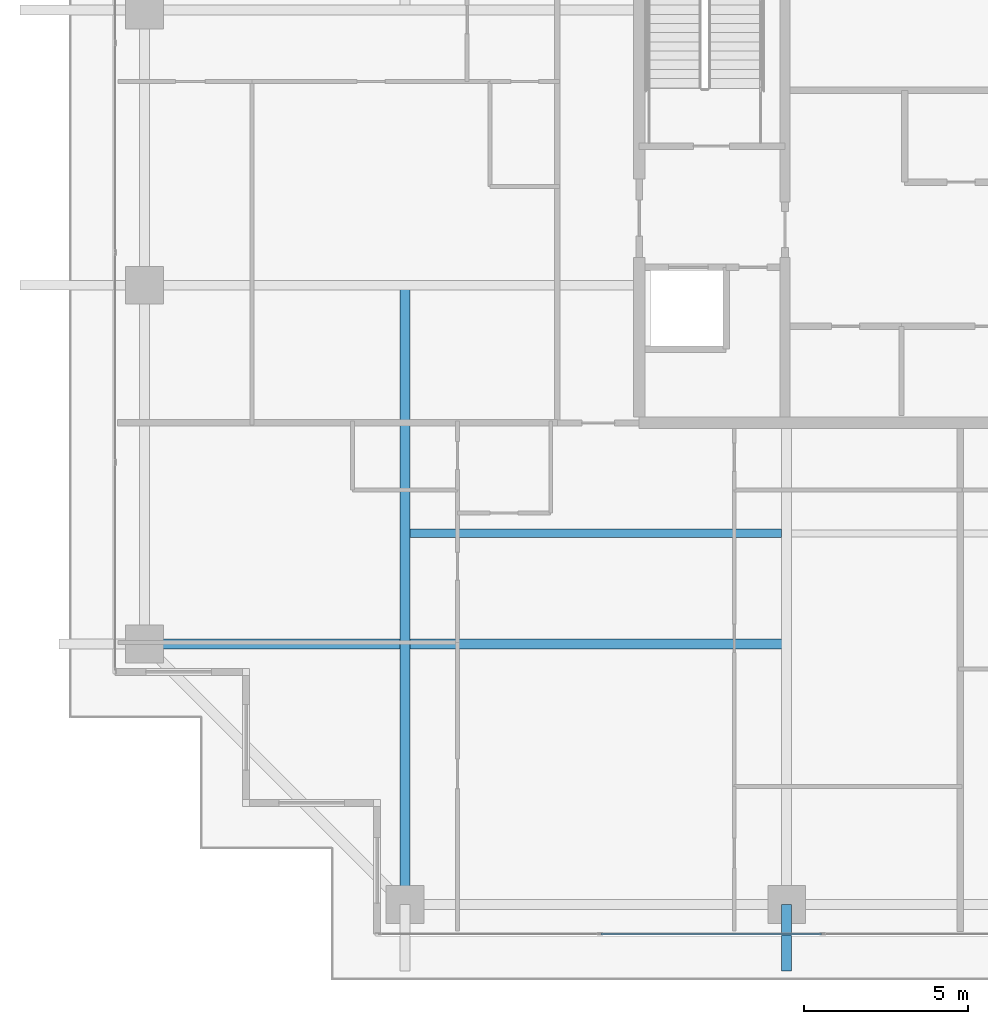
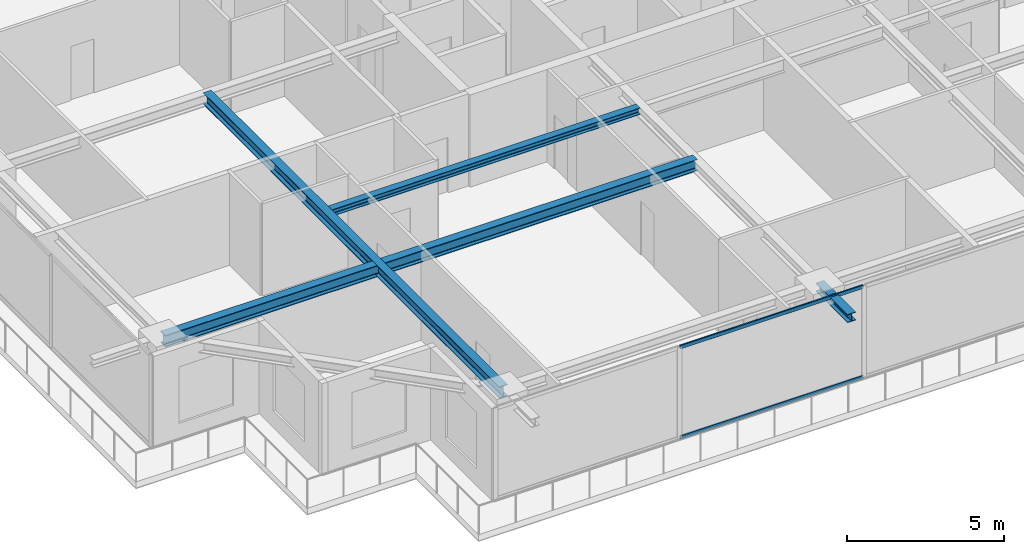
# One storey, part 4 of 37: 4 beams, 2 members, 1 element without a shape of its own.
"""IFC4 building model written with IfcOpenShell, lengths in metres."""

from ifc_helpers import new_model, si_unit, direction, frame, origin, origin_2d, place, context, subcontext, project, spatial, hollow_rectangle, i_section, extrude, source, transform, mapped, material, layer, layer_set, material_profile, profile_set, type_object, element, aggregate, save


model = new_model("IFC4")

# Units and contexts
model_context = context("Model", 3, precision=1e-05, world=origin(), true_north=direction((0.0, 1.0)))
body_context = subcontext(model_context, "Body", "Model", "MODEL_VIEW")
ifc_project = project(units=[si_unit("LENGTHUNIT", "METRE"), si_unit("AREAUNIT", "SQUARE_METRE"), si_unit("VOLUMEUNIT", "CUBIC_METRE"), si_unit("PLANEANGLEUNIT", "RADIAN"), si_unit("MASSUNIT", "GRAM", prefix="KILO")], contexts=[model_context])

# Site, building, storey
site_placement = place(None, origin())
site = spatial("IfcSite", under=ifc_project, at=site_placement, CompositionType="ELEMENT")
building_placement = place(site_placement, origin())
building = spatial("IfcBuilding", under=site, at=building_placement, Name="Serunith Strait Residences", CompositionType="ELEMENT")
storey_placement = place(building_placement, frame((0.0, 0.0, 279.75)))
storey = spatial("IfcBuildingStorey", under=building, at=storey_placement, Name="L70", CompositionType="ELEMENT", Elevation=279.75)

# Beams
ifc_material_1 = material(Name="Steel S355J2", Category="steel")
ifc_material_profile_1 = material_profile(ifc_material_1, i_section(OverallWidth=0.300048828125, OverallDepth=0.449951171875, WebThickness=0.013916015625, FlangeThickness=0.02587890625, FilletRadius=0.027099609375, at=origin_2d()), Name="HEB 450")
ifc_profile_set_1 = profile_set([ifc_material_profile_1], Name="Steel S355J2")
beam_type_1 = type_object("IfcBeamType", Name="BM-HEB450", PredefinedType="BEAM", material=ifc_profile_set_1)
shared_shape_1 = source(origin(), body_context, "Body", "SweptSolid", [
    extrude(i_section(OverallWidth=0.300048828125, OverallDepth=0.449951171875, WebThickness=0.013916015625, FlangeThickness=0.02587890625, FilletRadius=0.027099609375, at=origin_2d()), origin(), (0.0, 0.0, 1.0), 18.89990234375),
])
beam_1_placement = place(storey_placement, frame((16.25, 21.0, 3.362060546875), z_axis=(0.0, -1.0, 0.0), x_axis=(1.0, 0.0, 0.0)))
element("IfcBeam", 1, at=beam_1_placement, inside=storey, type_object=beam_type_1, Name="L70 Orthogonal Corner Girder TC-S1", PredefinedType="BEAM", context=body_context, shape_type="MappedRepresentation", body=[
    mapped(shared_shape_1, transform((0.0, 0.0, 0.0), scale=1.0)),
])
shared_shape_2 = source(origin(), body_context, "Body", "SweptSolid", [
    extrude(i_section(OverallWidth=0.300048828125, OverallDepth=0.449951171875, WebThickness=0.013916015625, FlangeThickness=0.02587890625, FilletRadius=0.027099609375, at=origin_2d()), origin(), (0.0, 0.0, 1.0), 19.599853515625),
])
beam_2_placement = place(storey_placement, frame((27.89990234375, 10.050048828125, 3.362060546875), z_axis=(-1.0, 0.0, 0.0), x_axis=(0.0, -1.0, 0.0)))
element("IfcBeam", 2, at=beam_2_placement, inside=storey, type_object=beam_type_1, Name="L70 Orthogonal Corner Girder TC-W1", PredefinedType="BEAM", context=body_context, shape_type="MappedRepresentation", body=[
    mapped(shared_shape_2, transform((0.0, 0.0, 0.0), scale=1.0)),
])
ifc_material_profile_2 = material_profile(ifc_material_1, i_section(OverallWidth=0.300048828125, OverallDepth=0.320068359375, WebThickness=0.011474609375, FlangeThickness=0.0205078125, FilletRadius=0.027099609375, at=origin_2d()), Name="HEB 320")
ifc_profile_set_2 = profile_set([ifc_material_profile_2], Name="Steel S355J2")
beam_type_2 = type_object("IfcBeamType", Name="BM-HEB320", PredefinedType="BEAM", material=ifc_profile_set_2)
shared_shape_3 = source(origin(), body_context, "Body", "SweptSolid", [
    extrude(i_section(OverallWidth=0.300048828125, OverallDepth=0.320068359375, WebThickness=0.011474609375, FlangeThickness=0.0205078125, FilletRadius=0.027099609375, at=origin_2d()), origin(), (0.0, 0.0, 1.0), 2.030029296875),
])
beam_3_placement = place(storey_placement, frame((27.89990234375, 2.10009765625, 3.39697265625), z_axis=(0.0, -1.0, 0.0), x_axis=(1.0, 0.0, 0.0)))
element("IfcBeam", 3, at=beam_3_placement, inside=storey, type_object=beam_type_2, Name="L71 Cantilevered Balcony Rib TC-S2", PredefinedType="BEAM", context=body_context, shape_type="MappedRepresentation", body=[
    mapped(shared_shape_3, transform((0.0, 0.0, 0.0), scale=1.0)),
])
ifc_material_profile_3 = material_profile(ifc_material_1, i_section(OverallWidth=0.260009765625, OverallDepth=0.260009765625, WebThickness=0.010009765625, FlangeThickness=0.017578125, FilletRadius=0.02392578125, at=origin_2d()), Name="HEB 260")
ifc_profile_set_3 = profile_set([ifc_material_profile_3], Name="Steel S355J2")
beam_type_3 = type_object("IfcBeamType", Name="BM-HEB260", PredefinedType="JOIST", material=ifc_profile_set_3)
shared_shape_4 = source(origin(), body_context, "Body", "SweptSolid", [
    extrude(i_section(OverallWidth=0.260009765625, OverallDepth=0.260009765625, WebThickness=0.010009765625, FlangeThickness=0.017578125, FilletRadius=0.02392578125, at=origin_2d()), origin(), (0.0, 0.0, 1.0), 11.35009765625),
])
beam_4_placement = place(storey_placement, frame((16.39990234375, 13.425048828125, 3.45703125), z_axis=(1.0, 0.0, 0.0), x_axis=(0.0, 1.0, 0.0)))
element("IfcBeam", 4, at=beam_4_placement, inside=storey, type_object=beam_type_3, Name="L70 Composite Floor Joist 01", PredefinedType="JOIST", context=body_context, shape_type="MappedRepresentation", body=[
    mapped(shared_shape_4, transform((0.0, 0.0, 0.0), scale=1.0)),
])

# Curtain wall, members
ifc_material_2 = material(Name="Pale-Champagne Anodised Aluminium", Category="aluminium")
ifc_layer = layer(ifc_material_2, 0.199951171875, Name="Pale-Champagne Anodised Aluminium")
ifc_layer_set = layer_set([ifc_layer], Name="Pale-Champagne Anodised Aluminium")
curtain_wall_type = type_object("IfcCurtainWallType", Name="CW-SYS4", PredefinedType="NOTDEFINED", material=ifc_layer_set)
curtain_wall_placement = place(storey_placement, origin())
curtain_wall = element("IfcCurtainWall", 5, at=curtain_wall_placement, inside=storey, type_object=curtain_wall_type, Name="L70 S Unitised Fritted Curtain Wall", PredefinedType="NOTDEFINED")
ifc_material_profile_4 = material_profile(ifc_material_2, hollow_rectangle(XDim=0.06005859375, YDim=0.139892578125, WallThickness=0.00341796875, InnerFilletRadius=0.00537109375, OuterFilletRadius=0.0087890625, at=origin_2d()), Name="ALU 140x60x3.5")
ifc_profile_set_4 = profile_set([ifc_material_profile_4], Name="Pale-Champagne Anodised Aluminium")
member_type = type_object("IfcMemberType", Name="CW-SYS4-TRAN", PredefinedType="USERDEFINED", material=ifc_profile_set_4)
shared_shape_5 = source(origin(), body_context, "Body", "SweptSolid", [
    extrude(hollow_rectangle(XDim=0.06005859375, YDim=0.139892578125, WallThickness=0.00341796875, InnerFilletRadius=0.00537109375, OuterFilletRadius=0.0087890625, at=origin_2d()), origin(), (0.0, 0.0, 1.0), 6.735107421875),
])
member_1_placement = place(storey_placement, frame((22.232421875, 1.199951171875, 0.030029296875), z_axis=(1.0, 0.0, 0.0), x_axis=(0.0, 1.0, 0.0)))
member_1 = element("IfcMember", 6, at=member_1_placement, type_object=member_type, Name="CW-4 transom 2.1", ObjectType="TRANSOM", PredefinedType="USERDEFINED", context=body_context, shape_type="MappedRepresentation", body=[
    mapped(shared_shape_5, transform((0.0, 0.0, 0.0), scale=1.0)),
])
member_2_placement = place(storey_placement, frame((22.232421875, 1.199951171875, 3.544921875), z_axis=(1.0, 0.0, 0.0), x_axis=(0.0, 1.0, 0.0)))
member_2 = element("IfcMember", 7, at=member_2_placement, type_object=member_type, Name="CW-4 transom 2.2", ObjectType="TRANSOM", PredefinedType="USERDEFINED", context=body_context, shape_type="MappedRepresentation", body=[
    mapped(shared_shape_5, transform((0.0, 0.0, 0.0), scale=1.0)),
])
aggregate(curtain_wall, [member_1, member_2])

save(model, "model.ifc")
